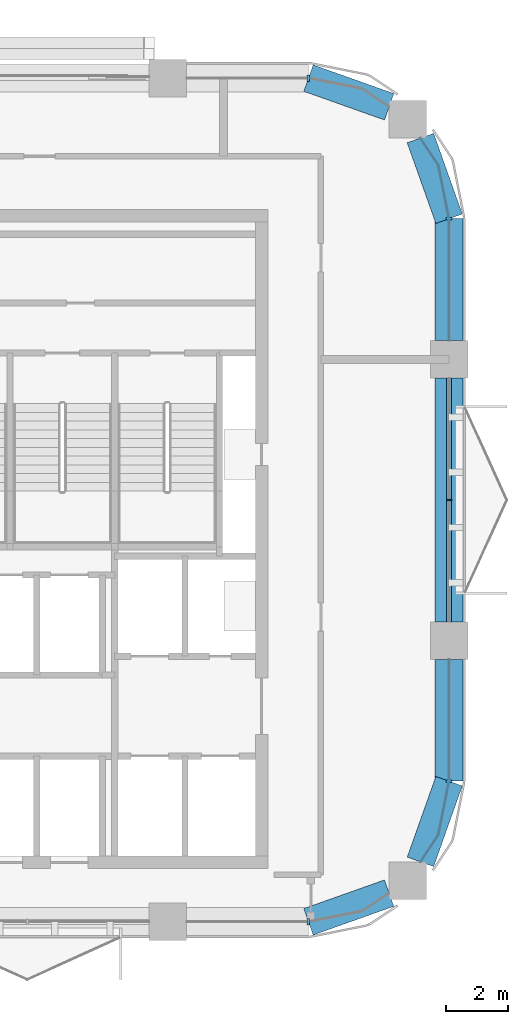
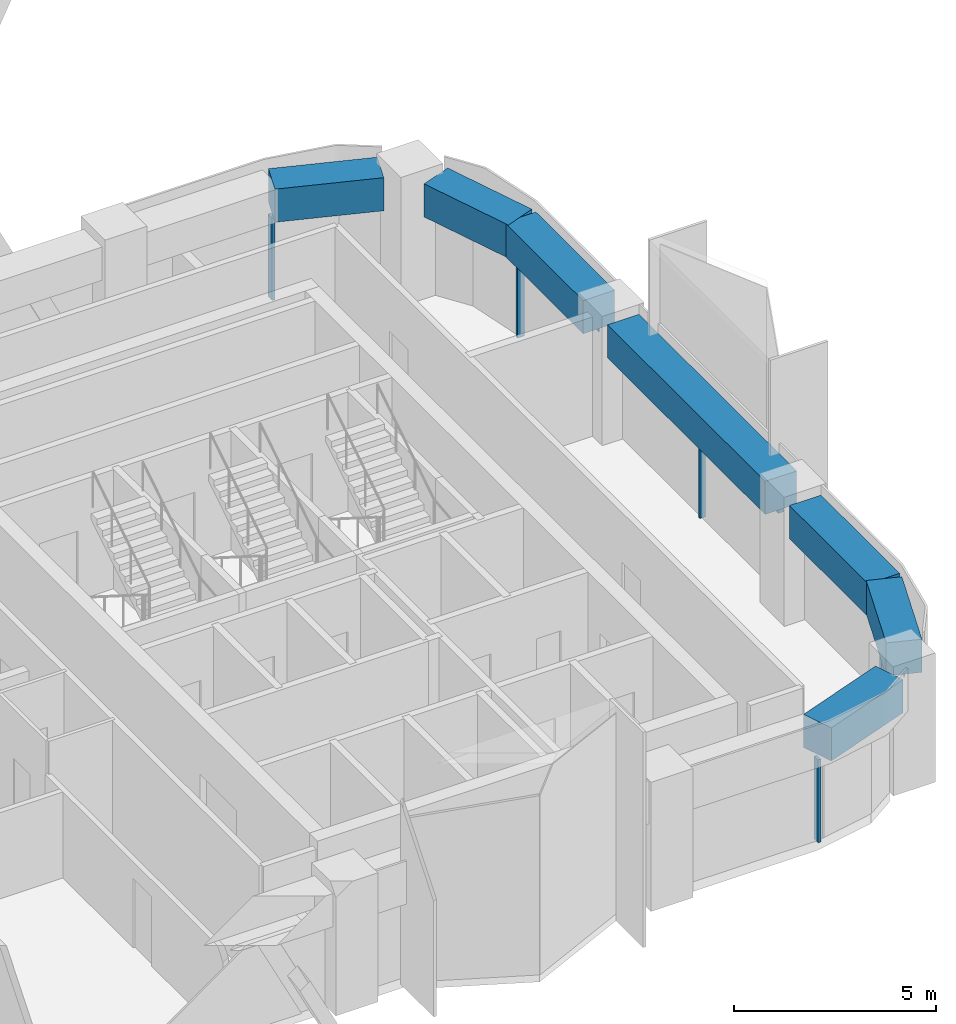
# One storey, part 5 of 11: 8 members, 7 beams, 5 elements without a shape of their own.
"""IFC4 building model written with IfcOpenShell, lengths in metres."""

import ifcopenshell
import ifcopenshell.guid

model = None  # the IFC model being written
_history = None  # IfcOwnerHistory: only IFC2X3 demands one
_inside = {}  # id of a spatial element -> (the spatial element, [elements in it])
_under = {}  # id of a project, library or spatial element -> (it, [spatial elements below it])
_declared = {}  # id of a project -> (the project, [libraries it declares])
_typed = {}  # id of a type object -> (the type object, [elements of that type])
_made_of = {}  # id of a material, layer set ... -> (it, [elements and type objects made of it])


def new_model(schema):
    """Start an empty IFC model of exactly this schema.

    Asked for "IFC4X3", IfcOpenShell would pick the latest addendum, in which some entities
    have other attributes; the version numbers below select the first issue.
    IFC2X3 requires an IfcOwnerHistory on every rooted entity: one is made here for all.
    """
    global model, _history
    if schema == "IFC4X3":
        model = ifcopenshell.file(schema_version=(4, 3, 0, 0))
    else:
        model = ifcopenshell.file(schema=schema)
    _inside.clear()
    _under.clear()
    _declared.clear()
    _typed.clear()
    _made_of.clear()
    _history = None
    if model.schema == "IFC2X3":
        org = make("IfcOrganization", Name="unknown")
        user = make(
            "IfcPersonAndOrganization",
            ThePerson=make("IfcPerson", FamilyName="unknown"),
            TheOrganization=org,
        )
        app = make(
            "IfcApplication",
            ApplicationDeveloper=org,
            Version="unknown",
            ApplicationFullName="unknown",
            ApplicationIdentifier="unknown",
        )
        _history = make(
            "IfcOwnerHistory",
            OwningUser=user,
            OwningApplication=app,
            ChangeAction="ADDED",
            CreationDate=0,
        )
    return model


def make(cls, **values):
    """One entity of the class cls with the attributes given. An attribute that is None is left unset."""
    return model.create_entity(
        cls, **{name: value for name, value in values.items() if value is not None}
    )


def rooted(cls, **values):
    """An entity with a GlobalId (a new one), such as an element, a storey or a relation."""
    return make(cls, GlobalId=ifcopenshell.guid.new(), OwnerHistory=_history, **values)


def si_unit(unit_type, name, prefix=None):
    """IfcSIUnit, for example si_unit("LENGTHUNIT", "METRE", prefix="MILLI")."""
    return make("IfcSIUnit", UnitType=unit_type, Prefix=prefix, Name=name)


def assignment(units):
    """IfcUnitAssignment: the units of a project."""
    return None if units is None else make("IfcUnitAssignment", Units=units)


def point(xyz):
    """IfcCartesianPoint."""
    return None if xyz is None else make("IfcCartesianPoint", Coordinates=xyz)


def direction(xyz):
    """IfcDirection."""
    return None if xyz is None else make("IfcDirection", DirectionRatios=xyz)


def frame(location, z_axis=None, x_axis=None):
    """IfcAxis2Placement3D, a coordinate frame: its origin and axes. An axis left out is left unset."""
    return make(
        "IfcAxis2Placement3D",
        Location=point(location),
        Axis=direction(z_axis),
        RefDirection=direction(x_axis),
    )


def frame_2d(location, x_axis=None):
    """IfcAxis2Placement2D, a coordinate frame in the plane: its origin and x axis."""
    return make(
        "IfcAxis2Placement2D", Location=point(location), RefDirection=direction(x_axis)
    )


def origin():
    """The frame at (0, 0, 0) with its axes left unset."""
    return frame((0.0, 0.0, 0.0))


def origin_2d():
    """The frame at (0, 0) in the plane with its x axis left unset."""
    return frame_2d((0.0, 0.0))


def place(relative_to, where):
    """IfcLocalPlacement: puts the frame where relative to a parent placement (None: the world)."""
    return make(
        "IfcLocalPlacement", PlacementRelTo=relative_to, RelativePlacement=where
    )


def context(
    kind, dimensions, precision=None, world=None, true_north=None, identifier=None
):
    """IfcGeometricRepresentationContext, for example the 3D "Model" context."""
    return make(
        "IfcGeometricRepresentationContext",
        ContextIdentifier=identifier,
        ContextType=kind,
        CoordinateSpaceDimension=dimensions,
        Precision=precision,
        WorldCoordinateSystem=world,
        TrueNorth=true_north,
    )


def subcontext(parent, identifier, kind, view, scale=None):
    """IfcGeometricRepresentationSubContext, for example "Body" below "Model"."""
    return make(
        "IfcGeometricRepresentationSubContext",
        ContextIdentifier=identifier,
        ContextType=kind,
        ParentContext=parent,
        TargetScale=scale,
        TargetView=view,
    )


def project(units=None, contexts=None):
    """IfcProject with its units and contexts."""
    return rooted(
        "IfcProject",
        Name="project",
        RepresentationContexts=contexts,
        UnitsInContext=assignment(units),
    )


def spatial(cls, under=None, at=None, **own):
    """A site, building, storey or space (cls), placed at a placement, below another one or the project."""
    s = rooted(cls, ObjectPlacement=at, **own)
    if under is not None:
        _under.setdefault(under.id(), (under, []))[1].append(s)
    return s


def polyline(points):
    """IfcPolyline through the points."""
    return make("IfcPolyline", Points=[point(p) for p in points])


def profile(cls, at=None, kind="AREA", **sizes):
    """A parametric profile (cls). Its sizes go by their IFC names, for example OverallWidth=200.0."""
    return make(cls, ProfileType=kind, Position=at, **sizes)


def rectangle(**sizes):
    """IfcRectangleProfileDef."""
    return profile("IfcRectangleProfileDef", **sizes)


def outline(outer, holes=None, kind="AREA"):
    """IfcArbitraryClosedProfileDef: a profile drawn as a closed curve; with holes, ...WithVoids."""
    if holes is None:
        return make("IfcArbitraryClosedProfileDef", ProfileType=kind, OuterCurve=outer)
    return make(
        "IfcArbitraryProfileDefWithVoids",
        ProfileType=kind,
        OuterCurve=outer,
        InnerCurves=holes,
    )


def extrude(swept, where, along, depth):
    """IfcExtrudedAreaSolid: the profile swept, set in the frame where, extruded along a direction by depth."""
    return make(
        "IfcExtrudedAreaSolid",
        SweptArea=swept,
        Position=where,
        ExtrudedDirection=direction(along),
        Depth=depth,
    )


def shape(context_of_items, identifier, shape_type, items):
    """IfcShapeRepresentation: the items that make up one representation, for example the "Body"."""
    return make(
        "IfcShapeRepresentation",
        ContextOfItems=context_of_items,
        RepresentationIdentifier=identifier,
        RepresentationType=shape_type,
        Items=items,
    )


def material(Name=None, Category=None):
    """IfcMaterial."""
    return make("IfcMaterial", Name=Name, Category=Category)


def material_profile(
    of_material, cross_section, Name=None, Category=None, Priority=None
):
    """IfcMaterialProfile: a cross section and its material."""
    return make(
        "IfcMaterialProfile",
        Name=Name,
        Material=of_material,
        Profile=cross_section,
        Priority=Priority,
        Category=Category,
    )


def profile_set(profiles, Name=None, composite=None):
    """IfcMaterialProfileSet."""
    return make(
        "IfcMaterialProfileSet",
        Name=Name,
        MaterialProfiles=profiles,
        CompositeProfile=composite,
    )


def made_of(thing, what):
    """Note that an element or type object is made of a material, layer set ...; save() writes the relation."""
    if what is not None:
        _made_of.setdefault(what.id(), (what, []))[1].append(thing)
    return thing


def type_object(cls, material=None, **own):
    """A type object (cls), such as IfcWallType, which elements share."""
    return made_of(rooted(cls, **own), material)


def element(
    cls,
    number,
    at=None,
    inside=None,
    cuts=None,
    type_object=None,
    material=None,
    context=None,
    identifier="Body",
    shape_type=None,
    held_by="IfcProductDefinitionShape",
    body=None,
    shapes=None,
    **own,
):
    """One element of the class cls, such as IfcWall. Its Tag is "e" and its number.

    at: its placement. inside: the storey or other place that contains it. cuts: it is an
    opening in that element (IfcRelVoidsElement). A single representation is given by context,
    identifier, shape_type and body (its items); several are given by shapes. held_by: the class
    of the entity that holds the representations. save() writes the other relations.
    """
    e = rooted(cls, Tag="e%d" % number, ObjectPlacement=at, **own)
    if body is not None:
        shapes = [shape(context, identifier, shape_type, body)]
    if shapes is not None:
        e.Representation = make(held_by, Representations=shapes)
    if inside is not None:
        _inside.setdefault(inside.id(), (inside, []))[1].append(e)
    if cuts is not None:
        rooted(
            "IfcRelVoidsElement", RelatingBuildingElement=cuts, RelatedOpeningElement=e
        )
    if type_object is not None:
        _typed.setdefault(type_object.id(), (type_object, []))[1].append(e)
    return made_of(e, material)


def aggregate(whole, parts):
    """IfcRelAggregates: a whole, such as a stair, and the parts it consists of."""
    return rooted("IfcRelAggregates", RelatingObject=whole, RelatedObjects=parts)


def save(model, path):
    """Write the relations noted so far, then the file.

    IfcRelAggregates (storeys below a building ...), IfcRelContainedInSpatialStructure (elements
    in a storey), IfcRelDefinesByType, IfcRelAssociatesMaterial and IfcRelDeclares: one each for
    every whole, place, type object, material and project.
    """
    for whole, parts in _under.values():
        aggregate(whole, parts)
    for where, things in _inside.values():
        rooted(
            "IfcRelContainedInSpatialStructure",
            RelatedElements=things,
            RelatingStructure=where,
        )
    for kind, things in _typed.values():
        rooted("IfcRelDefinesByType", RelatedObjects=things, RelatingType=kind)
    for what, things in _made_of.values():
        rooted("IfcRelAssociatesMaterial", RelatedObjects=things, RelatingMaterial=what)
    for by, libraries in _declared.values():
        rooted("IfcRelDeclares", RelatingContext=by, RelatedDefinitions=libraries)
    model.write(path)


model = new_model("IFC4")

# Units and contexts
model_context = context("Model", 3, precision=1e-05, world=origin(), true_north=direction((0.0, 1.0)))
body_context = subcontext(model_context, "Body", "Model", "MODEL_VIEW")
ifc_project = project(units=[si_unit("LENGTHUNIT", "METRE"), si_unit("AREAUNIT", "SQUARE_METRE"), si_unit("VOLUMEUNIT", "CUBIC_METRE"), si_unit("PLANEANGLEUNIT", "RADIAN"), si_unit("MASSUNIT", "GRAM", prefix="KILO")], contexts=[model_context])

# Site, building, storey
site_placement = place(None, origin())
site = spatial("IfcSite", under=ifc_project, at=site_placement, CompositionType="ELEMENT")
building_placement = place(site_placement, origin())
building = spatial("IfcBuilding", under=site, at=building_placement, Name="Tessera Arch", CompositionType="ELEMENT")
storey_placement = place(building_placement, frame((0.0, 0.0, 250.10009765625)))
storey = spatial("IfcBuildingStorey", under=building, at=storey_placement, Name="L60", CompositionType="ELEMENT", Elevation=250.10009765625)

# Curtain wall, members
ifc_material_1 = material(Name="CW1 curtain wall")
curtain_wall_type_1 = type_object("IfcCurtainWallType", Name="CW1 curtain wall", PredefinedType="NOTDEFINED", material=ifc_material_1)
curtain_wall_1_placement = place(storey_placement, origin())
curtain_wall_1 = element("IfcCurtainWall", 1, at=curtain_wall_1_placement, inside=storey, type_object=curtain_wall_type_1, Name="CW1 curtain wall E54.27/0 L60", PredefinedType="NOTDEFINED")
ifc_material_2 = material(Name="Anodised aluminium pale metal", Category="aluminium")
ifc_material_profile_1 = material_profile(ifc_material_2, rectangle(XDim=0.159912109375, YDim=0.06005859375, at=origin_2d()), Name="AL 60x160")
ifc_profile_set_1 = profile_set([ifc_material_profile_1], Name="Anodised aluminium pale metal")
member_type_1 = type_object("IfcMemberType", Name="CW1 mullion", PredefinedType="MULLION", material=ifc_profile_set_1)
member_1_placement = place(storey_placement, frame((54.0, 40.5, 0.0), z_axis=(0.0, 0.0, 1.0), x_axis=(-1.0, 0.0, 0.0)))
member_1 = element("IfcMember", 2, at=member_1_placement, type_object=member_type_1, Name="CW1 mullion E54.27/0 1", PredefinedType="MULLION", context=body_context, shape_type="SweptSolid", body=[
    extrude(rectangle(XDim=0.159912109375, YDim=0.06005859375, at=origin_2d()), origin(), (0.0, 0.0, 1.0), 2.5),
])
ifc_material_3 = material(Name="Anodised aluminium pale metal", Category="aluminium")
ifc_material_profile_2 = material_profile(ifc_material_3, rectangle(XDim=0.159912109375, YDim=0.10009765625, at=origin_2d()), Name="AL 160x100")
ifc_profile_set_2 = profile_set([ifc_material_profile_2], Name="Anodised aluminium pale metal")
member_type_2 = type_object("IfcMemberType", Name="CW1 transom", PredefinedType="USERDEFINED", material=ifc_profile_set_2)
member_2_placement = place(storey_placement, frame((54.0, 36.60009765625, 2.5498046875), z_axis=(0.0, 1.0, 0.0), x_axis=(-1.0, 0.0, 0.0)))
member_2 = element("IfcMember", 3, at=member_2_placement, type_object=member_type_2, Name="CW1 transom E54.27/0 1.1", ObjectType="TRANSOM", PredefinedType="USERDEFINED", context=body_context, shape_type="SweptSolid", body=[
    extrude(rectangle(XDim=0.159912109375, YDim=0.10009765625, at=origin_2d()), origin(), (0.0, 0.0, 1.0), 7.7998046875),
])
aggregate(curtain_wall_1, [member_1, member_2])

# Curtain wall, member
ifc_material_4 = material(Name="CW2 curtain wall")
curtain_wall_type_2 = type_object("IfcCurtainWallType", Name="CW2 curtain wall", PredefinedType="NOTDEFINED", material=ifc_material_4)
curtain_wall_2_placement = place(storey_placement, origin())
curtain_wall_2 = element("IfcCurtainWall", 4, at=curtain_wall_2_placement, inside=storey, type_object=curtain_wall_type_2, Name="CW2 curtain wall E54.27/1 L60", PredefinedType="NOTDEFINED")
ifc_material_5 = material(Name="Anodised aluminium pale metal", Category="aluminium")
ifc_material_profile_3 = material_profile(ifc_material_5, rectangle(XDim=0.199951171875, YDim=0.080078125, at=origin_2d()), Name="AL 80x200")
ifc_profile_set_3 = profile_set([ifc_material_profile_3], Name="Anodised aluminium pale metal")
member_type_3 = type_object("IfcMemberType", Name="CW2 mullion", PredefinedType="MULLION", material=ifc_profile_set_3)
member_3_placement = place(storey_placement, frame((54.0, 49.5, 0.0), z_axis=(0.0, 0.0, 1.0), x_axis=(-1.0, 0.0, 0.0)))
member_3 = element("IfcMember", 5, at=member_3_placement, type_object=member_type_3, Name="CW2 mullion E54.27/1 1", PredefinedType="MULLION", context=body_context, shape_type="SweptSolid", body=[
    extrude(rectangle(XDim=0.199951171875, YDim=0.080078125, at=origin_2d()), origin(), (0.0, 0.0, 1.0), 2.5),
])

curtain_wall_3_placement = place(storey_placement, origin())
curtain_wall_3 = element("IfcCurtainWall", 6, at=curtain_wall_3_placement, inside=storey, type_object=curtain_wall_type_2, Name="CW2 curtain wall N54.18/0 L60", PredefinedType="NOTDEFINED")
member_4_placement = place(storey_placement, frame((49.5, 54.0, 0.0), z_axis=(0.0, 0.0, 1.0), x_axis=(0.0, -1.0, 0.0)))
member_4 = element("IfcMember", 7, at=member_4_placement, type_object=member_type_3, Name="CW2 mullion N54.18/0 1", PredefinedType="MULLION", context=body_context, shape_type="SweptSolid", body=[
    extrude(rectangle(XDim=0.199951171875, YDim=0.080078125, at=origin_2d()), origin(), (0.0, 0.0, 1.0), 2.5),
])
aggregate(curtain_wall_3, [member_4])

curtain_wall_4_placement = place(storey_placement, origin())
curtain_wall_4 = element("IfcCurtainWall", 8, at=curtain_wall_4_placement, inside=storey, type_object=curtain_wall_type_2, Name="CW2 curtain wall S27.18/3 L60", PredefinedType="NOTDEFINED")
member_5_placement = place(storey_placement, frame((49.5, 27.0, 0.0), z_axis=(0.0, 0.0, 1.0), x_axis=(0.0, 1.0, 0.0)))
member_5 = element("IfcMember", 9, at=member_5_placement, type_object=member_type_3, Name="CW2 mullion S27.18/3 1", PredefinedType="MULLION", context=body_context, shape_type="SweptSolid", body=[
    extrude(rectangle(XDim=0.199951171875, YDim=0.080078125, at=origin_2d()), origin(), (0.0, 0.0, 1.0), 2.5),
])
aggregate(curtain_wall_4, [member_5])

curtain_wall_5_placement = place(storey_placement, origin())
curtain_wall_5 = element("IfcCurtainWall", 10, at=curtain_wall_5_placement, inside=storey, type_object=curtain_wall_type_2, Name="CW2 curtain wall E54.27/2 L60", PredefinedType="NOTDEFINED")
member_6_placement = place(storey_placement, frame((54.0, 31.5, 0.0), z_axis=(0.0, 0.0, 1.0), x_axis=(-1.0, 0.0, 0.0)))
member_6 = element("IfcMember", 11, at=member_6_placement, type_object=member_type_3, Name="CW2 mullion E54.27/2 1", PredefinedType="MULLION", context=body_context, shape_type="SweptSolid", body=[
    extrude(rectangle(XDim=0.199951171875, YDim=0.080078125, at=origin_2d()), origin(), (0.0, 0.0, 1.0), 2.5),
])

# Member
ifc_material_6 = material(Name="Anodised aluminium pale metal", Category="aluminium")
ifc_material_profile_4 = material_profile(ifc_material_6, rectangle(XDim=0.199951171875, YDim=0.10009765625, at=origin_2d()), Name="AL 200x100")
ifc_profile_set_4 = profile_set([ifc_material_profile_4], Name="Anodised aluminium pale metal")
member_type_4 = type_object("IfcMemberType", Name="CW2 transom", PredefinedType="USERDEFINED", material=ifc_profile_set_4)
member_7_placement = place(storey_placement, frame((0.0, 0.0, 2.5)))
member_7 = element("IfcMember", 12, at=member_7_placement, type_object=member_type_4, Name="CW2 transom E54.27/1 1", ObjectType="TRANSOM", PredefinedType="USERDEFINED", context=body_context, shape_type="SweptSolid", body=[
    extrude(outline(polyline([(53.989990234375, 49.4990234375), (53.989990234375, 45.60009765625), (54.010009765625, 45.60009765625), (54.010009765625, 49.5009765625), (53.6669921875, 51.22607421875), (53.09130859375, 52.087646484375), (53.07470703125, 52.076416015625), (53.648193359375, 51.21826171875), (53.989990234375, 49.4990234375)])), origin(), (0.0, 0.0, 1.0), 0.099853515625),
])

aggregate(curtain_wall_2, [member_3, member_7])

member_8_placement = place(storey_placement, frame((0.0, 0.0, 2.5)))
member_8 = element("IfcMember", 13, at=member_8_placement, type_object=member_type_4, Name="CW2 transom E54.27/2 1", ObjectType="TRANSOM", PredefinedType="USERDEFINED", context=body_context, shape_type="SweptSolid", body=[
    extrude(outline(polyline([(53.648193359375, 29.78173828125), (53.07470703125, 28.923583984375), (53.09130859375, 28.912353515625), (53.6669921875, 29.77392578125), (54.010009765625, 31.4990234375), (54.010009765625, 35.39990234375), (53.989990234375, 35.39990234375), (53.989990234375, 31.5009765625), (53.648193359375, 29.78173828125)])), origin(), (0.0, 0.0, 1.0), 0.099853515625),
])

aggregate(curtain_wall_5, [member_6, member_8])

# Beams
ifc_material_7 = material(Name="Concrete C60/75", Category="concrete")
ifc_material_profile_5 = material_profile(ifc_material_7, rectangle(XDim=0.89990234375, YDim=1.0, at=origin_2d()), Name="RC spandrel beam 900 x 1000 Concrete C60/75")
ifc_profile_set_5 = profile_set([ifc_material_profile_5], Name="Concrete C60/75")
beam_type = type_object("IfcBeamType", Name="RC spandrel beam 900 x 1000 Concrete C60/75", PredefinedType="BEAM", material=ifc_profile_set_5)
beam_1_placement = place(storey_placement, frame((54.0, 36.60009765625, 3.099853515625), z_axis=(0.0, 1.0, 0.0), x_axis=(-1.0, 0.0, 0.0)))
element("IfcBeam", 14, at=beam_1_placement, inside=storey, type_object=beam_type, Name="Spandrel beam L60 E54.27/0", PredefinedType="BEAM", context=body_context, shape_type="SweptSolid", body=[
    extrude(rectangle(XDim=0.89990234375, YDim=1.0, at=origin_2d()), origin(), (0.0, 0.0, 1.0), 7.7998046875),
])
beam_2_placement = place(storey_placement, frame((54.0, 45.60009765625, 3.099853515625), z_axis=(0.0, 1.0, 0.0), x_axis=(-1.0, 0.0, 0.0)))
element("IfcBeam", 15, at=beam_2_placement, inside=storey, type_object=beam_type, Name="Spandrel beam L60 E54.27/1.1", PredefinedType="BEAM", context=body_context, shape_type="SweptSolid", body=[
    extrude(rectangle(XDim=0.89990234375, YDim=1.0, at=origin_2d()), origin(), (0.0, 0.0, 1.0), 3.89990234375),
])
for number, where, z_axis, x_axis, name in (
    (16, (54.0, 49.5, 3.099853515625), (-0.334665114373, 0.942337127159, 0.0), (-0.942337127159, -0.334665114373, 0.0), "Spandrel beam L60 E54.27/1.2"),
    (17, (52.08203125, 53.0830078125, 3.099853515625), (-0.942337127159, 0.334665114373, 0.0), (-0.334665114373, -0.942337127159, 0.0), "Spandrel beam L60 N54.18/0.1"),
    (18, (49.5, 27.0, 3.099853515625), (0.942337127159, 0.334665114373, 0.0), (-0.334665114373, 0.942337127159, 0.0), "Spandrel beam L60 S27.18/3.2"),
    (19, (53.0830078125, 28.91796875, 3.099853515625), (0.334665114373, 0.942337127159, 0.0), (-0.942337127159, 0.334665114373, 0.0), "Spandrel beam L60 E54.27/2.1"),
):
    element("IfcBeam", number, at=place(storey_placement, frame(where, z_axis=z_axis, x_axis=x_axis)), inside=storey, type_object=beam_type, Name=name, PredefinedType="BEAM", context=body_context, shape_type="SweptSolid", body=[
        extrude(rectangle(XDim=0.89990234375, YDim=1.0, at=origin_2d()), origin(), (0.0, 0.0, 1.0), 2.739990234375),
    ])
beam_3_placement = place(storey_placement, frame((54.0, 31.5, 3.099853515625), z_axis=(0.0, 1.0, 0.0), x_axis=(-1.0, 0.0, 0.0)))
element("IfcBeam", 20, at=beam_3_placement, inside=storey, type_object=beam_type, Name="Spandrel beam L60 E54.27/2.2", PredefinedType="BEAM", context=body_context, shape_type="SweptSolid", body=[
    extrude(rectangle(XDim=0.89990234375, YDim=1.0, at=origin_2d()), origin(), (0.0, 0.0, 1.0), 3.89990234375),
])

save(model, "model.ifc")
